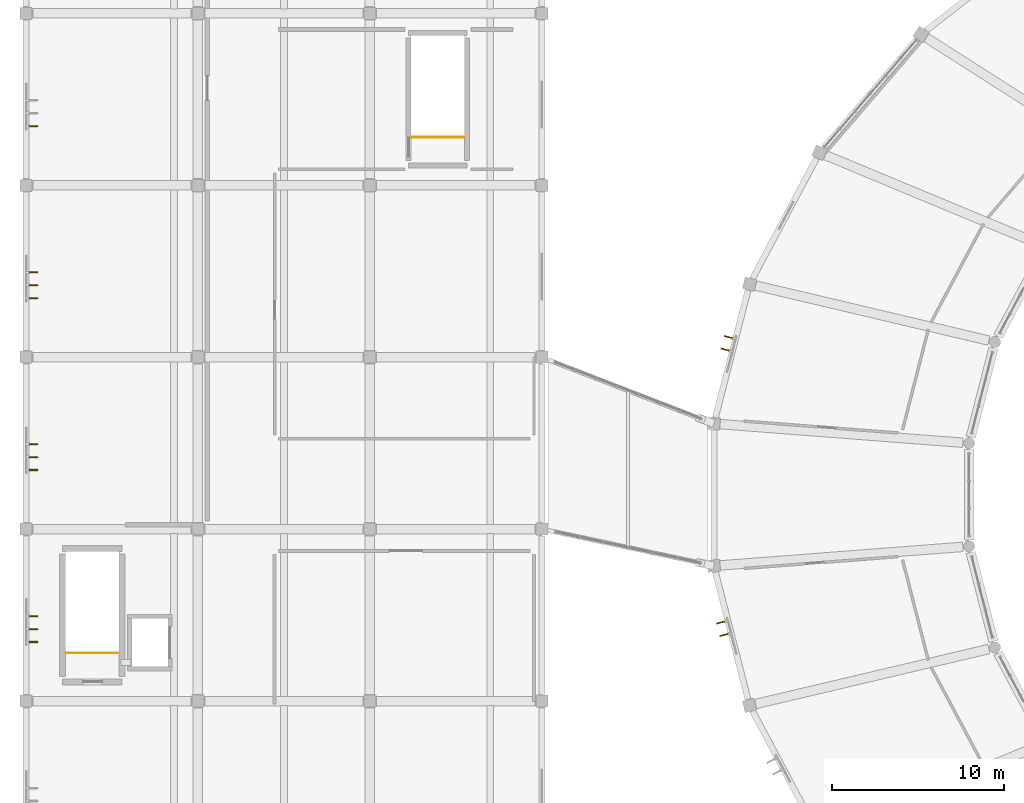
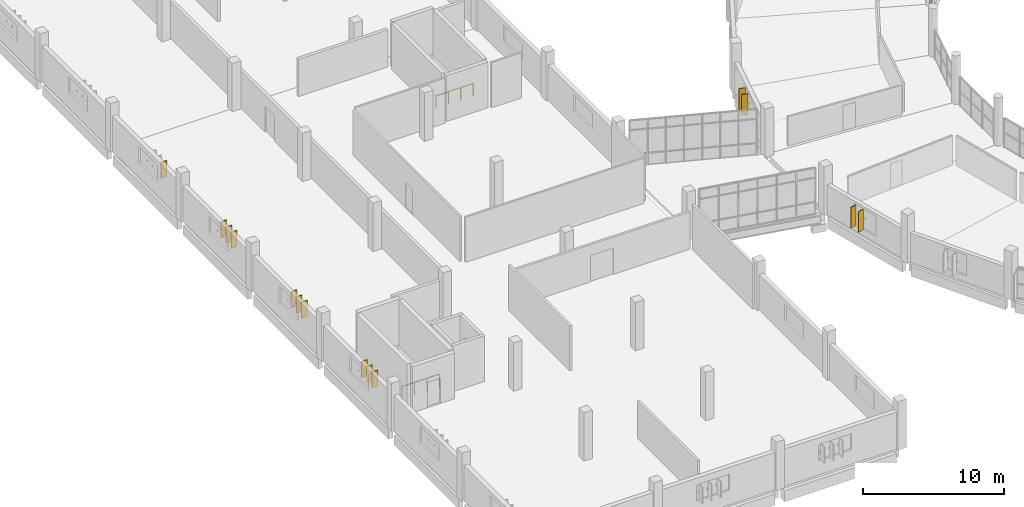
# One storey, part 123 of 142: 14 shading devices, 2 railings.
"""IFC4 building model written with IfcOpenShell, lengths in metres."""

from ifc_helpers import new_model, si_unit, direction, frame, origin, origin_2d, place, context, subcontext, project, spatial, rectangle, circle, extrude, material, layer, layer_set, type_object, element, save


model = new_model("IFC4")

# Units and contexts
model_context = context("Model", 3, precision=1e-05, world=origin(), true_north=direction((0.0, 1.0)))
body_context = subcontext(model_context, "Body", "Model", "MODEL_VIEW")
ifc_project = project(units=[si_unit("LENGTHUNIT", "METRE"), si_unit("AREAUNIT", "SQUARE_METRE"), si_unit("VOLUMEUNIT", "CUBIC_METRE"), si_unit("PLANEANGLEUNIT", "RADIAN"), si_unit("MASSUNIT", "GRAM", prefix="KILO")], contexts=[model_context])

# Site, building, storey
site_placement = place(None, origin())
site = spatial("IfcSite", under=ifc_project, at=site_placement, CompositionType="ELEMENT")
building_placement = place(site_placement, origin())
building = spatial("IfcBuilding", under=site, at=building_placement, Name="Corvandel Quay Wholesale Market", CompositionType="ELEMENT")
storey_placement = place(building_placement, frame((0.0, 0.0, 10.800048828125)))
storey = spatial("IfcBuildingStorey", under=building, at=storey_placement, Name="L02", CompositionType="ELEMENT", Elevation=10.800048828125)

# Railings
ifc_material_1 = material(Name="Painted galvanised tubular steel", Category="steel")
ifc_layer = layer(ifc_material_1, 0.054931640625)
ifc_layer_set = layer_set([ifc_layer], Name="Painted galvanised tubular steel")
railing_type = type_object("IfcRailingType", Name="Stairwell Inner Guard Railing GR02 1100mm", PredefinedType="GUARDRAIL", material=ifc_layer_set)
railing_1_placement = place(storey_placement, frame((22.320068359375, 32.800048828125, 0.0)))
element("IfcRailing", 1, at=railing_1_placement, inside=storey, type_object=railing_type, Name="Stair Top Well Guard SH11-L02", PredefinedType="GUARDRAIL", context=body_context, shape_type="SweptSolid", body=[
    extrude(circle(Radius=0.02392578125, at=origin_2d()), frame((0.0, 0.0, 1.076171875), z_axis=(1.0, 0.0, 0.0), x_axis=(0.0, 1.0, 0.0)), (0.0, 0.0, 1.0), 3.059814453125),
    extrude(circle(Radius=0.02099609375, at=origin_2d()), origin(), (0.0, 0.0, 1.0), 1.052001953125),
    extrude(circle(Radius=0.02099609375, at=origin_2d()), frame((1.02001953125, 0.0, 0.0)), (0.0, 0.0, 1.0), 1.052001953125),
    extrude(circle(Radius=0.02099609375, at=origin_2d()), frame((2.039794921875, 0.0, 0.0)), (0.0, 0.0, 1.0), 1.052001953125),
    extrude(circle(Radius=0.02099609375, at=origin_2d()), frame((3.059814453125, 0.0, 0.0)), (0.0, 0.0, 1.0), 1.052001953125),
])
railing_2_placement = place(storey_placement, frame((42.419921875, 62.800048828125, 0.0)))
element("IfcRailing", 2, at=railing_2_placement, inside=storey, type_object=railing_type, Name="Stair Top Well Guard SH13-L02", PredefinedType="GUARDRAIL", context=body_context, shape_type="SweptSolid", body=[
    extrude(circle(Radius=0.02392578125, at=origin_2d()), frame((0.0, 0.0, 1.076171875), z_axis=(1.0, 0.0, 0.0), x_axis=(0.0, 1.0, 0.0)), (0.0, 0.0, 1.0), 3.06005859375),
    extrude(circle(Radius=0.02099609375, at=origin_2d()), origin(), (0.0, 0.0, 1.0), 1.052001953125),
    extrude(circle(Radius=0.02099609375, at=origin_2d()), frame((1.02001953125, 0.0, 0.0)), (0.0, 0.0, 1.0), 1.052001953125),
    extrude(circle(Radius=0.02099609375, at=origin_2d()), frame((2.0400390625, 0.0, 0.0)), (0.0, 0.0, 1.0), 1.052001953125),
    extrude(circle(Radius=0.02099609375, at=origin_2d()), frame((3.06005859375, 0.0, 0.0)), (0.0, 0.0, 1.0), 1.052001953125),
])

# Shading devices
ifc_material_2 = material(Name="Bronze anodised extruded aluminium 6063-T6", Category="aluminium")
shading_device_type = type_object("IfcShadingDeviceType", Name="Vertical Anodised Bronze Solar Fin FN01 480mm", PredefinedType="JALOUSIE", material=ifc_material_2)
for number, where, z_axis, x_axis, name in (
    (3, (60.833984375, 51.174560546875, 0.5498046875), (0.0, 0.0, 1.0), (-0.968843057437, 0.247675453076, 0.0), "Solar Fin 0038"),
    (4, (60.648193359375, 50.447998046875, 0.5498046875), (0.0, 0.0, 1.0), (-0.968843057437, 0.247675453076, 0.0), "Solar Fin 0039"),
    (5, (60.388427734375, 34.568603515625, 0.5498046875), (0.0, 0.0, 1.0), (0.968843057437, 0.247675453076, 0.0), "Solar Fin 0046"),
    (6, (60.57421875, 33.841796875, 0.5498046875), (0.0, 0.0, 1.0), (0.968843057437, 0.247675453076, 0.0), "Solar Fin 0047"),
):
    element("IfcShadingDevice", number, at=place(storey_placement, frame(where, z_axis=z_axis, x_axis=x_axis)), inside=storey, type_object=shading_device_type, Name=name, PredefinedType="JALOUSIE", context=body_context, shape_type="SweptSolid", body=[
        extrude(rectangle(XDim=0.47998046875, YDim=0.06494140625, at=origin_2d()), origin(), (0.0, 0.0, 1.0), 1.800048828125),
    ])
for number, where, z_axis, x_axis, name in (
    (7, (20.43994140625, 33.43994140625, 1.300048828125), (0.0, 0.0, 1.0), (1.0, 0.0, 0.0), "Solar Fin 0533"),
    (8, (20.43994140625, 34.18994140625, 1.300048828125), (0.0, 0.0, 1.0), (1.0, 0.0, 0.0), "Solar Fin 0534"),
    (9, (20.43994140625, 34.93994140625, 1.300048828125), (0.0, 0.0, 1.0), (1.0, 0.0, 0.0), "Solar Fin 0535"),
    (10, (20.43994140625, 43.43994140625, 1.300048828125), (0.0, 0.0, 1.0), (1.0, 0.0, 0.0), "Solar Fin 0538"),
    (11, (20.43994140625, 44.18994140625, 1.300048828125), (0.0, 0.0, 1.0), (1.0, 0.0, 0.0), "Solar Fin 0539"),
    (12, (20.43994140625, 44.93994140625, 1.300048828125), (0.0, 0.0, 1.0), (1.0, 0.0, 0.0), "Solar Fin 0540"),
    (13, (20.43994140625, 53.43994140625, 1.300048828125), (0.0, 0.0, 1.0), (1.0, 0.0, 0.0), "Solar Fin 0543"),
    (14, (20.43994140625, 54.18994140625, 1.300048828125), (0.0, 0.0, 1.0), (1.0, 0.0, 0.0), "Solar Fin 0544"),
    (15, (20.43994140625, 54.93994140625, 1.300048828125), (0.0, 0.0, 1.0), (1.0, 0.0, 0.0), "Solar Fin 0545"),
    (16, (20.43994140625, 63.43994140625, 1.300048828125), (0.0, 0.0, 1.0), (1.0, 0.0, 0.0), "Solar Fin 0548"),
):
    element("IfcShadingDevice", number, at=place(storey_placement, frame(where, z_axis=z_axis, x_axis=x_axis)), inside=storey, type_object=shading_device_type, Name=name, PredefinedType="JALOUSIE", context=body_context, shape_type="SweptSolid", body=[
        extrude(rectangle(XDim=0.47998046875, YDim=0.06494140625, at=origin_2d()), origin(), (0.0, 0.0, 1.0), 1.39990234375),
    ])

save(model, "model.ifc")
